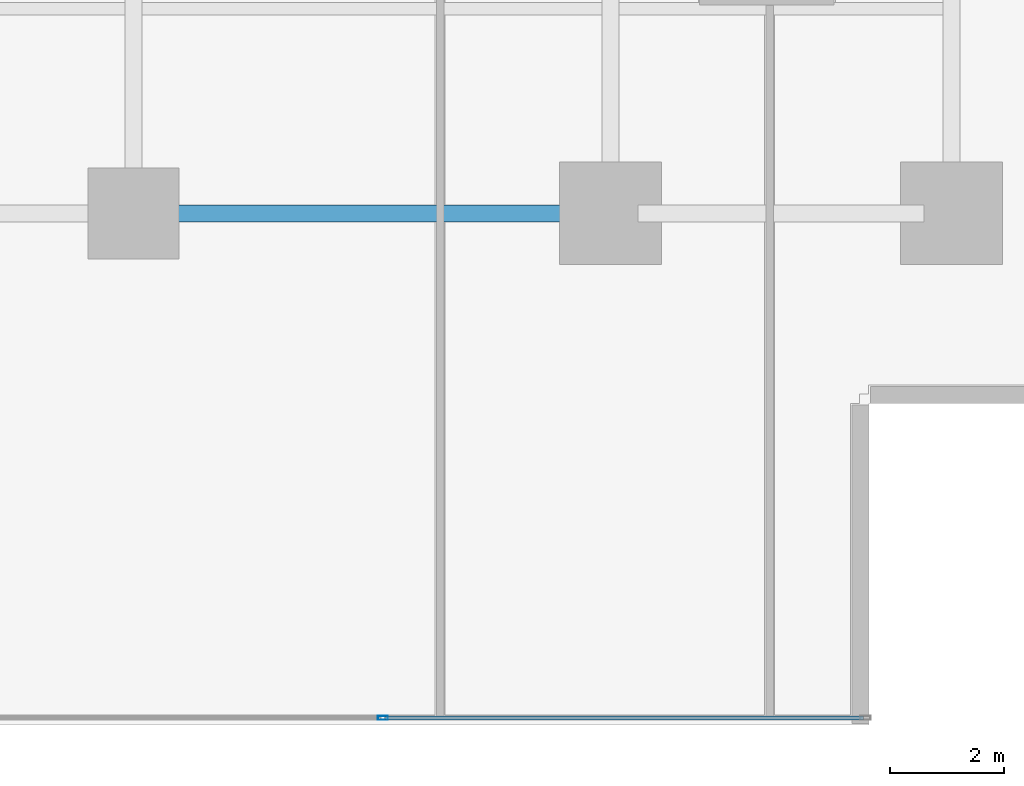
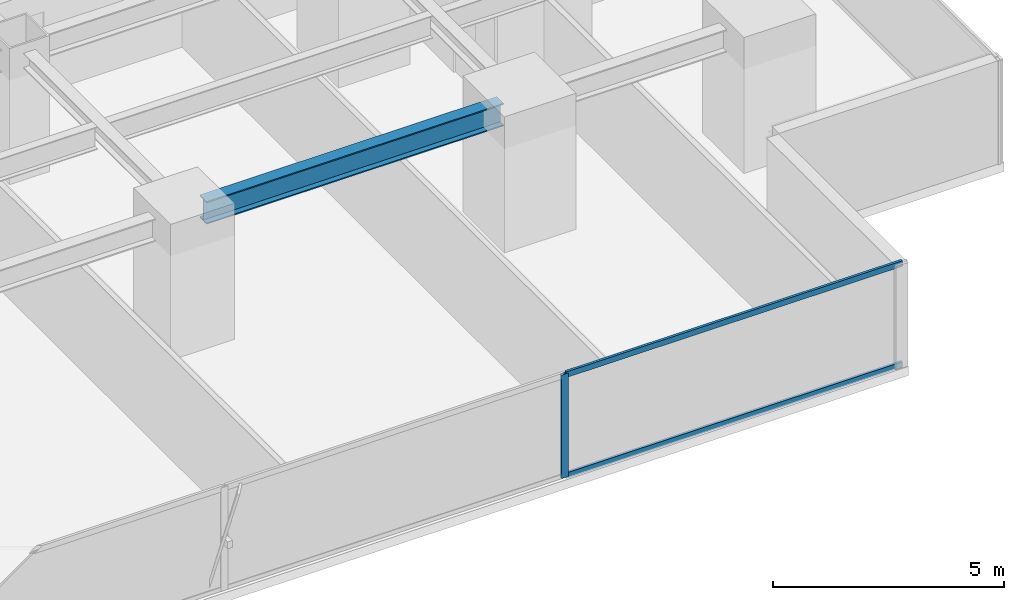
# One storey, part 11 of 33: 3 members, 1 beam, 1 element without a shape of its own.
"""IFC4 building model written with IfcOpenShell, lengths in metres."""

from ifc_helpers import new_model, si_unit, direction, frame, origin, origin_2d, place, context, subcontext, project, spatial, hollow_rectangle, i_section, extrude, source, transform, mapped, material, layer, layer_set, material_profile, profile_set, type_object, element, aggregate, save


model = new_model("IFC4")

# Units and contexts
model_context = context("Model", 3, precision=1e-05, world=origin(), true_north=direction((0.0, 1.0)))
body_context = subcontext(model_context, "Body", "Model", "MODEL_VIEW")
ifc_project = project(units=[si_unit("LENGTHUNIT", "METRE"), si_unit("AREAUNIT", "SQUARE_METRE"), si_unit("VOLUMEUNIT", "CUBIC_METRE"), si_unit("PLANEANGLEUNIT", "RADIAN"), si_unit("MASSUNIT", "GRAM", prefix="KILO")], contexts=[model_context])

# Site, building, storey
site_placement = place(None, origin())
site = spatial("IfcSite", under=ifc_project, at=site_placement, CompositionType="ELEMENT")
building_placement = place(site_placement, origin())
building = spatial("IfcBuilding", under=site, at=building_placement, Name="Sumidabori Civic Tower", CompositionType="ELEMENT")
storey_placement = place(building_placement, frame((0.0, 0.0, 38.0)))
storey = spatial("IfcBuildingStorey", under=building, at=storey_placement, Name="L09", CompositionType="ELEMENT", Elevation=38.0)

# Beam
ifc_material_1 = material(Name="Steel SN490", Category="steel")
ifc_material_profile_1 = material_profile(ifc_material_1, i_section(OverallWidth=0.300048828125, OverallDepth=0.60009765625, WebThickness=0.015380859375, FlangeThickness=0.030029296875, at=origin_2d()), Name="HE 600 B")
ifc_profile_set_1 = profile_set([ifc_material_profile_1], Name="Steel SN490")
beam_type = type_object("IfcBeamType", Name="BM-GIRD-600", PredefinedType="BEAM", material=ifc_profile_set_1)
shared_shape_1 = source(origin(), body_context, "Body", "SweptSolid", [
    extrude(i_section(OverallWidth=0.300048828125, OverallDepth=0.60009765625, WebThickness=0.015380859375, FlangeThickness=0.030029296875, at=origin_2d()), origin(), (0.0, 0.0, 1.0), 7.440185546875),
])
beam_placement = place(storey_placement, frame((8.8798828125, -18.0, 3.06005859375), z_axis=(1.0, 0.0, 0.0), x_axis=(0.0, 1.0, 0.0)))
element("IfcBeam", 1, at=beam_placement, inside=storey, type_object=beam_type, Name="Primary Girder L09 GX-05", PredefinedType="BEAM", context=body_context, shape_type="MappedRepresentation", body=[
    mapped(shared_shape_1, transform((0.0, 0.0, 0.0), x_axis=(1.0, 0.0, 0.0), y_axis=(0.0, 1.0, 0.0), z_axis=(0.0, 0.0, 1.0), scale=1.0)),
])

# Curtain wall, members
ifc_material_2 = material(Name="Anodised Bronze Aluminium AW-6063-T6", Category="aluminium")
ifc_layer = layer(ifc_material_2, 0.179931640625, Name="Anodised Bronze Aluminium AW-6063-T6")
ifc_layer_set = layer_set([ifc_layer], Name="Anodised Bronze Aluminium AW-6063-T6")
curtain_wall_type = type_object("IfcCurtainWallType", Name="CW-SYS-2", PredefinedType="NOTDEFINED", material=ifc_layer_set)
curtain_wall_placement = place(storey_placement, origin())
curtain_wall = element("IfcCurtainWall", 2, at=curtain_wall_placement, inside=storey, type_object=curtain_wall_type, Name="Curtain Wall CW:L09:R01", PredefinedType="NOTDEFINED")
ifc_material_profile_2 = material_profile(ifc_material_2, hollow_rectangle(XDim=0.070068359375, YDim=0.179931640625, WallThickness=0.006103515625, at=origin_2d()), Name="ALU MULLION 180x70")
ifc_profile_set_2 = profile_set([ifc_material_profile_2], Name="Anodised Bronze Aluminium AW-6063-T6")
member_type_1 = type_object("IfcMemberType", Name="CW-MUL-180", PredefinedType="MULLION", material=ifc_profile_set_2)
shared_shape_2 = source(origin(), body_context, "Body", "SweptSolid", [
    extrude(hollow_rectangle(XDim=0.070068359375, YDim=0.179931640625, WallThickness=0.006103515625, at=origin_2d()), origin(), (0.0, 0.0, 1.0), 2.739990234375),
])
member_1_placement = place(storey_placement, frame((12.7919921875, -26.8798828125, 0.0), z_axis=(0.0, 0.0, 1.0), x_axis=(0.0, 1.0, 0.0)))
member_1 = element("IfcMember", 3, at=member_1_placement, type_object=member_type_1, Name="CW-2 mullion 5", PredefinedType="MULLION", context=body_context, shape_type="MappedRepresentation", body=[
    mapped(shared_shape_2, transform((0.0, 0.0, 0.0), x_axis=(1.0, 0.0, 0.0), y_axis=(0.0, 1.0, 0.0), z_axis=(0.0, 0.0, 1.0), scale=1.0)),
])
ifc_material_profile_3 = material_profile(ifc_material_2, hollow_rectangle(XDim=0.06494140625, YDim=0.14990234375, WallThickness=0.0048828125, at=origin_2d()), Name="ALU TRANSOM 150x65")
ifc_profile_set_3 = profile_set([ifc_material_profile_3], Name="Anodised Bronze Aluminium AW-6063-T6")
member_type_2 = type_object("IfcMemberType", Name="CW-TRN-150", PredefinedType="USERDEFINED", material=ifc_profile_set_3)
shared_shape_3 = source(origin(), body_context, "Body", "SweptSolid", [
    extrude(hollow_rectangle(XDim=0.06494140625, YDim=0.14990234375, WallThickness=0.0048828125, at=origin_2d()), origin(), (0.0, 0.0, 1.0), 8.423095703125),
])
member_2_placement = place(storey_placement, frame((12.826904296875, -26.8798828125, 0.032470703125), z_axis=(1.0, 0.0, 0.0), x_axis=(0.0, 1.0, 0.0)))
member_2 = element("IfcMember", 4, at=member_2_placement, type_object=member_type_2, Name="CW-2 transom 5.1", ObjectType="TRANSOM", PredefinedType="USERDEFINED", context=body_context, shape_type="MappedRepresentation", body=[
    mapped(shared_shape_3, transform((0.0, 0.0, 0.0), x_axis=(1.0, 0.0, 0.0), y_axis=(0.0, 1.0, 0.0), z_axis=(0.0, 0.0, 1.0), scale=1.0)),
])
member_3_placement = place(storey_placement, frame((12.826904296875, -26.8798828125, 2.70751953125), z_axis=(1.0, 0.0, 0.0), x_axis=(0.0, 1.0, 0.0)))
member_3 = element("IfcMember", 5, at=member_3_placement, type_object=member_type_2, Name="CW-2 transom 5.2", ObjectType="TRANSOM", PredefinedType="USERDEFINED", context=body_context, shape_type="MappedRepresentation", body=[
    mapped(shared_shape_3, transform((0.0, 0.0, 0.0), x_axis=(1.0, 0.0, 0.0), y_axis=(0.0, 1.0, 0.0), z_axis=(0.0, 0.0, 1.0), scale=1.0)),
])
aggregate(curtain_wall, [member_1, member_2, member_3])

save(model, "model.ifc")
